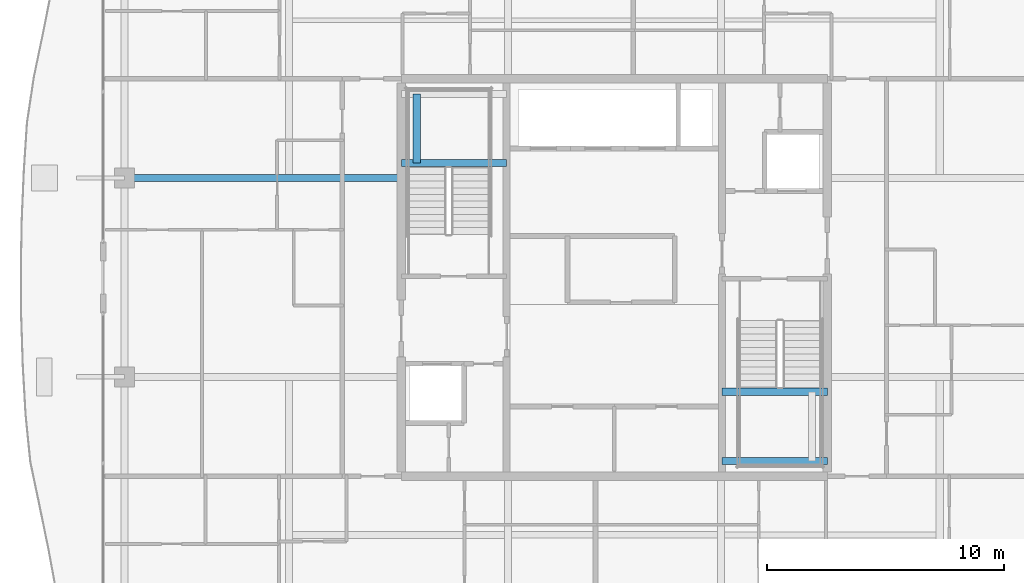
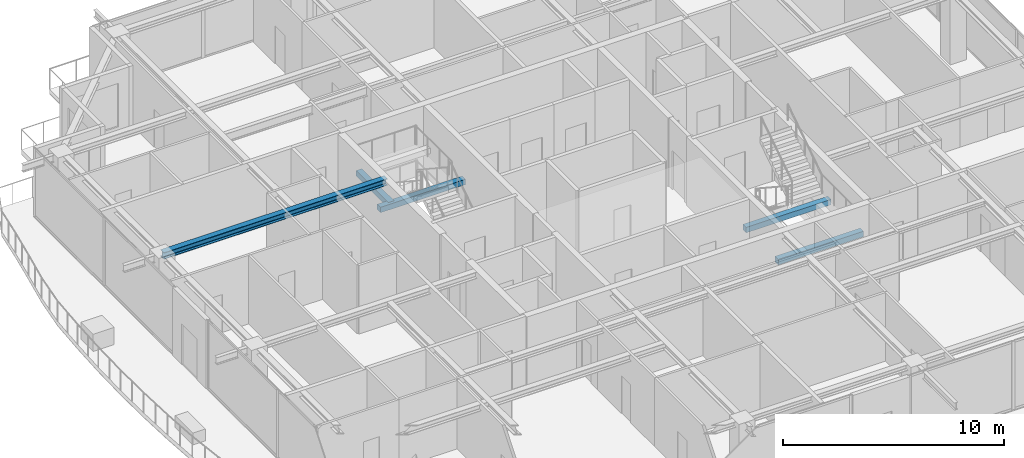
# One storey, part 9 of 36: 5 beams.
"""IFC4 building model written with IfcOpenShell, lengths in metres."""

from ifc_helpers import new_model, si_unit, direction, frame, origin, origin_2d, place, context, subcontext, project, spatial, rectangle, i_section, extrude, source, transform, mapped, material, material_profile, profile_set, type_object, element, save


model = new_model("IFC4")

# Units and contexts
model_context = context("Model", 3, precision=1e-05, world=origin(), true_north=direction((0.0, 1.0)))
body_context = subcontext(model_context, "Body", "Model", "MODEL_VIEW")
ifc_project = project(units=[si_unit("LENGTHUNIT", "METRE"), si_unit("AREAUNIT", "SQUARE_METRE"), si_unit("VOLUMEUNIT", "CUBIC_METRE"), si_unit("PLANEANGLEUNIT", "RADIAN"), si_unit("MASSUNIT", "GRAM", prefix="KILO")], contexts=[model_context])

# Site, building, storey
site_placement = place(None, origin())
site = spatial("IfcSite", under=ifc_project, at=site_placement, CompositionType="ELEMENT")
building_placement = place(site_placement, origin())
building = spatial("IfcBuilding", under=site, at=building_placement, Name="Serunith Strait Residences", CompositionType="ELEMENT")
storey_placement = place(building_placement, frame((0.0, 0.0, 338.0)))
storey = spatial("IfcBuildingStorey", under=building, at=storey_placement, Name="L84", CompositionType="ELEMENT", Elevation=338.0)

# Beams
ifc_material_1 = material(Name="Steel S355J2", Category="steel")
ifc_material_profile_1 = material_profile(ifc_material_1, i_section(OverallWidth=0.300048828125, OverallDepth=0.360107421875, WebThickness=0.012451171875, FlangeThickness=0.0224609375, FilletRadius=0.027099609375, at=origin_2d()), Name="HEB 360")
ifc_profile_set_1 = profile_set([ifc_material_profile_1], Name="Steel S355J2")
beam_type_1 = type_object("IfcBeamType", Name="BM-HEB360", PredefinedType="BEAM", material=ifc_profile_set_1)
shared_shape_1 = source(origin(), body_context, "Body", "SweptSolid", [
    extrude(i_section(OverallWidth=0.300048828125, OverallDepth=0.360107421875, WebThickness=0.012451171875, FlangeThickness=0.0224609375, FilletRadius=0.027099609375, at=origin_2d()), origin(), (0.0, 0.0, 1.0), 11.699951171875),
])
beam_1_placement = place(storey_placement, frame((23.39990234375, 29.39990234375, 3.60693359375), z_axis=(-1.0, 0.0, 0.0), x_axis=(0.0, -1.0, 0.0)))
element("IfcBeam", 1, at=beam_1_placement, inside=storey, type_object=beam_type_1, Name="L84 Primary Floor Girder TC-W3", PredefinedType="BEAM", context=body_context, shape_type="MappedRepresentation", body=[
    mapped(shared_shape_1, transform((0.0, 0.0, 0.0), scale=1.0)),
])
ifc_material_2 = material(Name="Concrete C60/75", Category="concrete")
ifc_material_profile_2 = material_profile(ifc_material_2, rectangle(XDim=0.300048828125, YDim=0.300048828125, at=origin_2d()), Name="RC 300x300")
ifc_profile_set_2 = profile_set([ifc_material_profile_2], Name="Concrete C60/75")
beam_type_2 = type_object("IfcBeamType", Name="BM-LAND-300x300", PredefinedType="BEAM", material=ifc_profile_set_2)
shared_shape_2 = source(origin(), body_context, "Body", "SweptSolid", [
    extrude(rectangle(XDim=0.300048828125, YDim=0.300048828125, at=origin_2d()), origin(), (0.0, 0.0, 1.0), 4.4501953125),
])
beam_2_placement = place(storey_placement, frame((23.39990234375, 30.030029296875, 1.675048828125), z_axis=(1.0, 0.0, 0.0), x_axis=(0.0, 1.0, 0.0)))
element("IfcBeam", 2, at=beam_2_placement, inside=storey, type_object=beam_type_2, Name="L84 ST-1 Landing Support Beam 1", PredefinedType="BEAM", context=body_context, shape_type="MappedRepresentation", body=[
    mapped(shared_shape_2, transform((0.0, 0.0, 0.0), scale=1.0)),
])
shared_shape_3 = source(origin(), body_context, "Body", "SweptSolid", [
    extrude(rectangle(XDim=0.300048828125, YDim=0.300048828125, at=origin_2d()), origin(), (0.0, 0.0, 1.0), 2.919921875),
])
beam_3_placement = place(storey_placement, frame((24.050048828125, 30.030029296875, 1.675048828125), z_axis=(0.0, 1.0, 0.0), x_axis=(-1.0, 0.0, 0.0)))
element("IfcBeam", 3, at=beam_3_placement, inside=storey, type_object=beam_type_2, Name="L84 ST-1 Landing Transverse Tie Beam", PredefinedType="BEAM", context=body_context, shape_type="MappedRepresentation", body=[
    mapped(shared_shape_3, transform((0.0, 0.0, 0.0), scale=1.0)),
])
shared_shape_4 = source(origin(), body_context, "Body", "SweptSolid", [
    extrude(rectangle(XDim=0.300048828125, YDim=0.300048828125, at=origin_2d()), origin(), (0.0, 0.0, 1.0), 4.449951171875),
])
for number, where, z_axis, x_axis, name in (
    (4, (36.949951171875, 17.449951171875, 1.675048828125), (1.0, 0.0, 0.0), (0.0, 1.0, 0.0), "L84 ST-2 Landing Support Beam 1"),
    (5, (36.949951171875, 20.3701171875, 1.675048828125), (1.0, 0.0, 0.0), (0.0, 1.0, 0.0), "L84 ST-2 Landing Support Beam 2"),
):
    element("IfcBeam", number, at=place(storey_placement, frame(where, z_axis=z_axis, x_axis=x_axis)), inside=storey, type_object=beam_type_2, Name=name, PredefinedType="BEAM", context=body_context, shape_type="MappedRepresentation", body=[
        mapped(shared_shape_4, transform((0.0, 0.0, 0.0), scale=1.0)),
    ])

save(model, "model.ifc")
